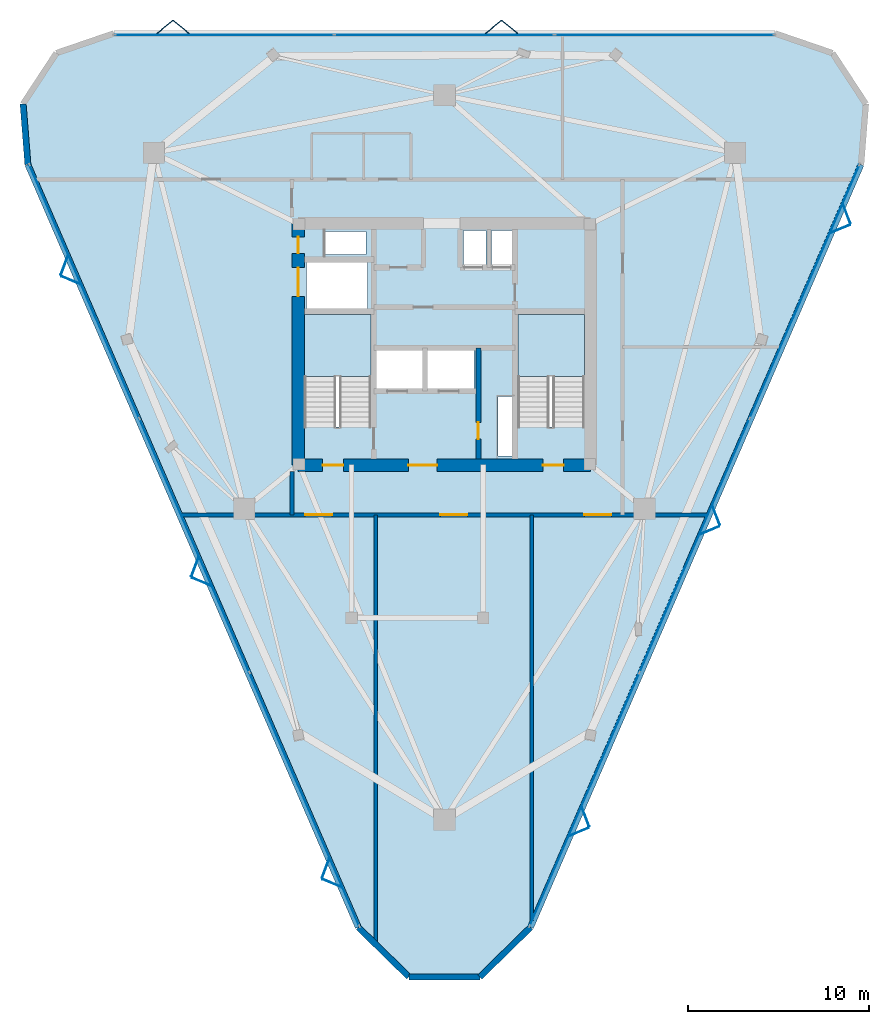
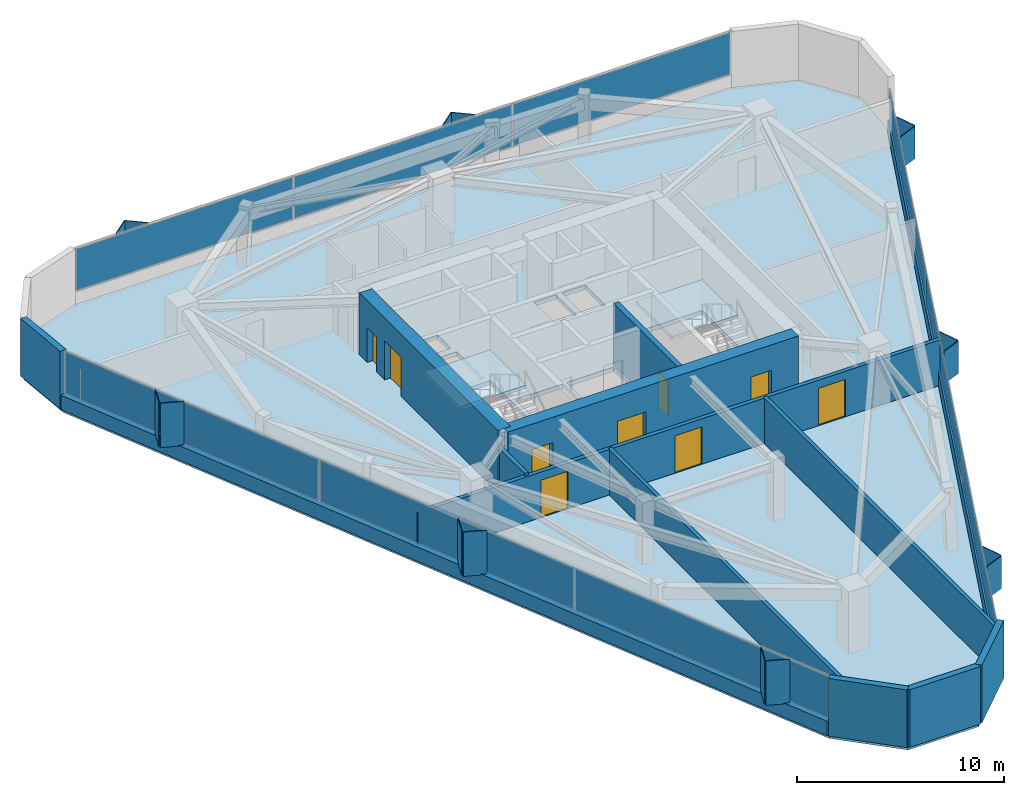
# One storey, part 8 of 11: 25 plates, 13 walls, 9 doors, 3 slabs, 9 openings, 5 elements without a shape of their own.
"""IFC4 building model written with IfcOpenShell, lengths in metres."""

import ifcopenshell
import ifcopenshell.guid

model = None  # the IFC model being written
_history = None  # IfcOwnerHistory: only IFC2X3 demands one
_inside = {}  # id of a spatial element -> (the spatial element, [elements in it])
_under = {}  # id of a project, library or spatial element -> (it, [spatial elements below it])
_declared = {}  # id of a project -> (the project, [libraries it declares])
_typed = {}  # id of a type object -> (the type object, [elements of that type])
_made_of = {}  # id of a material, layer set ... -> (it, [elements and type objects made of it])


def new_model(schema):
    """Start an empty IFC model of exactly this schema.

    Asked for "IFC4X3", IfcOpenShell would pick the latest addendum, in which some entities
    have other attributes; the version numbers below select the first issue.
    IFC2X3 requires an IfcOwnerHistory on every rooted entity: one is made here for all.
    """
    global model, _history
    if schema == "IFC4X3":
        model = ifcopenshell.file(schema_version=(4, 3, 0, 0))
    else:
        model = ifcopenshell.file(schema=schema)
    _inside.clear()
    _under.clear()
    _declared.clear()
    _typed.clear()
    _made_of.clear()
    _history = None
    if model.schema == "IFC2X3":
        org = make("IfcOrganization", Name="unknown")
        user = make(
            "IfcPersonAndOrganization",
            ThePerson=make("IfcPerson", FamilyName="unknown"),
            TheOrganization=org,
        )
        app = make(
            "IfcApplication",
            ApplicationDeveloper=org,
            Version="unknown",
            ApplicationFullName="unknown",
            ApplicationIdentifier="unknown",
        )
        _history = make(
            "IfcOwnerHistory",
            OwningUser=user,
            OwningApplication=app,
            ChangeAction="ADDED",
            CreationDate=0,
        )
    return model


def make(cls, **values):
    """One entity of the class cls with the attributes given. An attribute that is None is left unset."""
    return model.create_entity(
        cls, **{name: value for name, value in values.items() if value is not None}
    )


def rooted(cls, **values):
    """An entity with a GlobalId (a new one), such as an element, a storey or a relation."""
    return make(cls, GlobalId=ifcopenshell.guid.new(), OwnerHistory=_history, **values)


def si_unit(unit_type, name, prefix=None):
    """IfcSIUnit, for example si_unit("LENGTHUNIT", "METRE", prefix="MILLI")."""
    return make("IfcSIUnit", UnitType=unit_type, Prefix=prefix, Name=name)


def assignment(units):
    """IfcUnitAssignment: the units of a project."""
    return None if units is None else make("IfcUnitAssignment", Units=units)


def point(xyz):
    """IfcCartesianPoint."""
    return None if xyz is None else make("IfcCartesianPoint", Coordinates=xyz)


def direction(xyz):
    """IfcDirection."""
    return None if xyz is None else make("IfcDirection", DirectionRatios=xyz)


def frame(location, z_axis=None, x_axis=None):
    """IfcAxis2Placement3D, a coordinate frame: its origin and axes. An axis left out is left unset."""
    return make(
        "IfcAxis2Placement3D",
        Location=point(location),
        Axis=direction(z_axis),
        RefDirection=direction(x_axis),
    )


def frame_2d(location, x_axis=None):
    """IfcAxis2Placement2D, a coordinate frame in the plane: its origin and x axis."""
    return make(
        "IfcAxis2Placement2D", Location=point(location), RefDirection=direction(x_axis)
    )


def origin():
    """The frame at (0, 0, 0) with its axes left unset."""
    return frame((0.0, 0.0, 0.0))


def origin_2d():
    """The frame at (0, 0) in the plane with its x axis left unset."""
    return frame_2d((0.0, 0.0))


def place(relative_to, where):
    """IfcLocalPlacement: puts the frame where relative to a parent placement (None: the world)."""
    return make(
        "IfcLocalPlacement", PlacementRelTo=relative_to, RelativePlacement=where
    )


def context(
    kind, dimensions, precision=None, world=None, true_north=None, identifier=None
):
    """IfcGeometricRepresentationContext, for example the 3D "Model" context."""
    return make(
        "IfcGeometricRepresentationContext",
        ContextIdentifier=identifier,
        ContextType=kind,
        CoordinateSpaceDimension=dimensions,
        Precision=precision,
        WorldCoordinateSystem=world,
        TrueNorth=true_north,
    )


def subcontext(parent, identifier, kind, view, scale=None):
    """IfcGeometricRepresentationSubContext, for example "Body" below "Model"."""
    return make(
        "IfcGeometricRepresentationSubContext",
        ContextIdentifier=identifier,
        ContextType=kind,
        ParentContext=parent,
        TargetScale=scale,
        TargetView=view,
    )


def project(units=None, contexts=None):
    """IfcProject with its units and contexts."""
    return rooted(
        "IfcProject",
        Name="project",
        RepresentationContexts=contexts,
        UnitsInContext=assignment(units),
    )


def spatial(cls, under=None, at=None, **own):
    """A site, building, storey or space (cls), placed at a placement, below another one or the project."""
    s = rooted(cls, ObjectPlacement=at, **own)
    if under is not None:
        _under.setdefault(under.id(), (under, []))[1].append(s)
    return s


def polyline(points):
    """IfcPolyline through the points."""
    return make("IfcPolyline", Points=[point(p) for p in points])


def profile(cls, at=None, kind="AREA", **sizes):
    """A parametric profile (cls). Its sizes go by their IFC names, for example OverallWidth=200.0."""
    return make(cls, ProfileType=kind, Position=at, **sizes)


def rectangle(**sizes):
    """IfcRectangleProfileDef."""
    return profile("IfcRectangleProfileDef", **sizes)


def outline(outer, holes=None, kind="AREA"):
    """IfcArbitraryClosedProfileDef: a profile drawn as a closed curve; with holes, ...WithVoids."""
    if holes is None:
        return make("IfcArbitraryClosedProfileDef", ProfileType=kind, OuterCurve=outer)
    return make(
        "IfcArbitraryProfileDefWithVoids",
        ProfileType=kind,
        OuterCurve=outer,
        InnerCurves=holes,
    )


def extrude(swept, where, along, depth):
    """IfcExtrudedAreaSolid: the profile swept, set in the frame where, extruded along a direction by depth."""
    return make(
        "IfcExtrudedAreaSolid",
        SweptArea=swept,
        Position=where,
        ExtrudedDirection=direction(along),
        Depth=depth,
    )


def shape(context_of_items, identifier, shape_type, items):
    """IfcShapeRepresentation: the items that make up one representation, for example the "Body"."""
    return make(
        "IfcShapeRepresentation",
        ContextOfItems=context_of_items,
        RepresentationIdentifier=identifier,
        RepresentationType=shape_type,
        Items=items,
    )


def material(Name=None, Category=None):
    """IfcMaterial."""
    return make("IfcMaterial", Name=Name, Category=Category)


def layer(
    of_material, thickness, ventilated=None, Name=None, Category=None, Priority=None
):
    """IfcMaterialLayer: one layer of a wall or slab, of a material (None: an air gap)."""
    return make(
        "IfcMaterialLayer",
        Material=of_material,
        LayerThickness=thickness,
        IsVentilated=ventilated,
        Name=Name,
        Category=Category,
        Priority=Priority,
    )


def layer_set(layers, Name=None):
    """IfcMaterialLayerSet."""
    return make("IfcMaterialLayerSet", MaterialLayers=layers, LayerSetName=Name)


def made_of(thing, what):
    """Note that an element or type object is made of a material, layer set ...; save() writes the relation."""
    if what is not None:
        _made_of.setdefault(what.id(), (what, []))[1].append(thing)
    return thing


def type_object(cls, material=None, **own):
    """A type object (cls), such as IfcWallType, which elements share."""
    return made_of(rooted(cls, **own), material)


def element(
    cls,
    number,
    at=None,
    inside=None,
    cuts=None,
    type_object=None,
    material=None,
    context=None,
    identifier="Body",
    shape_type=None,
    held_by="IfcProductDefinitionShape",
    body=None,
    shapes=None,
    **own,
):
    """One element of the class cls, such as IfcWall. Its Tag is "e" and its number.

    at: its placement. inside: the storey or other place that contains it. cuts: it is an
    opening in that element (IfcRelVoidsElement). A single representation is given by context,
    identifier, shape_type and body (its items); several are given by shapes. held_by: the class
    of the entity that holds the representations. save() writes the other relations.
    """
    e = rooted(cls, Tag="e%d" % number, ObjectPlacement=at, **own)
    if body is not None:
        shapes = [shape(context, identifier, shape_type, body)]
    if shapes is not None:
        e.Representation = make(held_by, Representations=shapes)
    if inside is not None:
        _inside.setdefault(inside.id(), (inside, []))[1].append(e)
    if cuts is not None:
        rooted(
            "IfcRelVoidsElement", RelatingBuildingElement=cuts, RelatedOpeningElement=e
        )
    if type_object is not None:
        _typed.setdefault(type_object.id(), (type_object, []))[1].append(e)
    return made_of(e, material)


def fill(opening, filler):
    """IfcRelFillsElement: the door or window that sits in an opening."""
    return rooted(
        "IfcRelFillsElement",
        RelatingOpeningElement=opening,
        RelatedBuildingElement=filler,
    )


def aggregate(whole, parts):
    """IfcRelAggregates: a whole, such as a stair, and the parts it consists of."""
    return rooted("IfcRelAggregates", RelatingObject=whole, RelatedObjects=parts)


def save(model, path):
    """Write the relations noted so far, then the file.

    IfcRelAggregates (storeys below a building ...), IfcRelContainedInSpatialStructure (elements
    in a storey), IfcRelDefinesByType, IfcRelAssociatesMaterial and IfcRelDeclares: one each for
    every whole, place, type object, material and project.
    """
    for whole, parts in _under.values():
        aggregate(whole, parts)
    for where, things in _inside.values():
        rooted(
            "IfcRelContainedInSpatialStructure",
            RelatedElements=things,
            RelatingStructure=where,
        )
    for kind, things in _typed.values():
        rooted("IfcRelDefinesByType", RelatedObjects=things, RelatingType=kind)
    for what, things in _made_of.values():
        rooted("IfcRelAssociatesMaterial", RelatedObjects=things, RelatingMaterial=what)
    for by, libraries in _declared.values():
        rooted("IfcRelDeclares", RelatingContext=by, RelatedDefinitions=libraries)
    model.write(path)


model = new_model("IFC4")

# Units and contexts
model_context = context("Model", 3, precision=1e-05, world=origin(), true_north=direction((0.0, 1.0)))
body_context = subcontext(model_context, "Body", "Model", "MODEL_VIEW")
ifc_project = project(units=[si_unit("LENGTHUNIT", "METRE"), si_unit("AREAUNIT", "SQUARE_METRE"), si_unit("VOLUMEUNIT", "CUBIC_METRE"), si_unit("PLANEANGLEUNIT", "RADIAN"), si_unit("MASSUNIT", "GRAM", prefix="KILO")], contexts=[model_context])

# Site, building, storey
site_placement = place(None, origin())
site = spatial("IfcSite", under=ifc_project, at=site_placement, CompositionType="ELEMENT")
building_placement = place(site_placement, origin())
building = spatial("IfcBuilding", under=site, at=building_placement, Name="Talyreon Biosciences Tower", CompositionType="ELEMENT")
storey_placement = place(building_placement, frame((0.0, 0.0, 249.85009765625)))
storey = spatial("IfcBuildingStorey", under=building, at=storey_placement, Name="L66", CompositionType="ELEMENT", Elevation=249.85009765625)

# Curtain wall, plates
ifc_material_1 = material(Name="Thermally broken aluminium and low-E glazing", Category="aluminium")
ifc_layer_1 = layer(ifc_material_1, 0.175048828125)
ifc_layer_set_1 = layer_set([ifc_layer_1], Name="Thermally broken aluminium and low-E glazing")
curtain_wall_type = type_object("IfcCurtainWallType", Name="CurtainWall_Zone5CompLab", PredefinedType="NOTDEFINED", material=ifc_layer_set_1)
curtain_wall_1_placement = place(storey_placement, origin())
curtain_wall_1 = element("IfcCurtainWall", 1, at=curtain_wall_1_placement, inside=storey, type_object=curtain_wall_type, Name="L66 Unitised Curtain Wall FCW-L66-00", PredefinedType="NOTDEFINED")
ifc_material_2 = material(Name="Triple-silver low-E insulated glazing", Category="glass")
ifc_layer_2 = layer(ifc_material_2, 0.031982421875)
ifc_layer_set_2 = layer_set([ifc_layer_2], Name="Triple-silver low-E insulated glazing")
plate_type_1 = type_object("IfcPlateType", Name="CWGlazingPanel_32", PredefinedType="CURTAIN_PANEL", material=ifc_layer_set_2)
plate_1_placement = place(storey_placement, frame((58.244873046875, 42.7900390625, 0.875), z_axis=(0.0, 0.0, 1.0), x_axis=(-0.397537465198, 0.91758594353, 0.0)))
plate_1 = element("IfcPlate", 2, at=plate_1_placement, type_object=plate_type_1, Name="CW6 panel 1.1", PredefinedType="CURTAIN_PANEL", context=body_context, shape_type="SweptSolid", body=[
    extrude(rectangle(XDim=15.250244140625, YDim=0.031982421875, at=origin_2d()), origin(), (0.0, 0.0, 1.0), 2.4599609375),
])
plate_2_placement = place(storey_placement, frame((52.150146484375, 56.858154296875, 0.875), z_axis=(0.0, 0.0, 1.0), x_axis=(-0.397537465198, 0.91758594353, 0.0)))
plate_2 = element("IfcPlate", 3, at=plate_2_placement, type_object=plate_type_1, Name="CW6 panel 2.1", PredefinedType="CURTAIN_PANEL", context=body_context, shape_type="SweptSolid", body=[
    extrude(rectangle(XDim=15.28271484375, YDim=0.031982421875, at=origin_2d()), origin(), (0.0, 0.0, 1.0), 2.4599609375),
])
plate_3_placement = place(storey_placement, frame((46.05517578125, 70.926025390625, 0.875), z_axis=(0.0, 0.0, 1.0), x_axis=(-0.397537465198, 0.91758594353, 0.0)))
plate_3 = element("IfcPlate", 4, at=plate_3_placement, type_object=plate_type_1, Name="CW6 panel 3.1", PredefinedType="CURTAIN_PANEL", context=body_context, shape_type="SweptSolid", body=[
    extrude(rectangle(XDim=15.250244140625, YDim=0.031982421875, at=origin_2d()), origin(), (0.0, 0.0, 1.0), 2.4599609375),
])
aggregate(curtain_wall_1, [plate_1, plate_2, plate_3])

curtain_wall_2_placement = place(storey_placement, origin())
curtain_wall_2 = element("IfcCurtainWall", 5, at=curtain_wall_2_placement, inside=storey, type_object=curtain_wall_type, Name="L66 Unitised Curtain Wall FCW-L66-04", PredefinedType="NOTDEFINED")
plate_4_placement = place(storey_placement, frame((53.813720703125, 85.1376953125, 0.875), z_axis=(0.0, 0.0, 1.0), x_axis=(1.0, 0.0, 0.0)))
plate_4 = element("IfcPlate", 6, at=plate_4_placement, type_object=plate_type_1, Name="CW6 panel 1.1", PredefinedType="CURTAIN_PANEL", context=body_context, shape_type="SweptSolid", body=[
    extrude(rectangle(XDim=12.10498046875, YDim=0.031982421875, at=origin_2d()), origin(), (0.0, 0.0, 1.0), 2.4599609375),
])
plate_5_placement = place(storey_placement, frame((66.0, 85.1376953125, 0.875), z_axis=(0.0, 0.0, 1.0), x_axis=(1.0, 0.0, 0.0)))
plate_5 = element("IfcPlate", 7, at=plate_5_placement, type_object=plate_type_1, Name="CW6 panel 2.1", PredefinedType="CURTAIN_PANEL", context=body_context, shape_type="SweptSolid", body=[
    extrude(rectangle(XDim=12.137451171875, YDim=0.031982421875, at=origin_2d()), origin(), (0.0, 0.0, 1.0), 2.4599609375),
])
plate_6_placement = place(storey_placement, frame((78.186279296875, 85.1376953125, 0.875), z_axis=(0.0, 0.0, 1.0), x_axis=(1.0, 0.0, 0.0)))
plate_6 = element("IfcPlate", 8, at=plate_6_placement, type_object=plate_type_1, Name="CW6 panel 3.1", PredefinedType="CURTAIN_PANEL", context=body_context, shape_type="SweptSolid", body=[
    extrude(rectangle(XDim=12.10498046875, YDim=0.031982421875, at=origin_2d()), origin(), (0.0, 0.0, 1.0), 2.4599609375),
])
aggregate(curtain_wall_2, [plate_4, plate_5, plate_6])

curtain_wall_3_placement = place(storey_placement, origin())
curtain_wall_3 = element("IfcCurtainWall", 9, at=curtain_wall_3_placement, inside=storey, type_object=curtain_wall_type, Name="L66 Unitised Curtain Wall FCW-L66-08", PredefinedType="NOTDEFINED")
plate_7_placement = place(storey_placement, frame((85.94482421875, 70.926025390625, 0.875), z_axis=(0.0, 0.0, 1.0), x_axis=(-0.397537465198, -0.91758594353, 0.0)))
plate_7 = element("IfcPlate", 10, at=plate_7_placement, type_object=plate_type_1, Name="CW6 panel 1.1", PredefinedType="CURTAIN_PANEL", context=body_context, shape_type="SweptSolid", body=[
    extrude(rectangle(XDim=15.250244140625, YDim=0.031982421875, at=origin_2d()), origin(), (0.0, 0.0, 1.0), 1.760009765625),
])
plate_8_placement = place(storey_placement, frame((79.849853515625, 56.858154296875, 0.875), z_axis=(0.0, 0.0, 1.0), x_axis=(-0.397537465198, -0.91758594353, 0.0)))
plate_8 = element("IfcPlate", 11, at=plate_8_placement, type_object=plate_type_1, Name="CW6 panel 2.1", PredefinedType="CURTAIN_PANEL", context=body_context, shape_type="SweptSolid", body=[
    extrude(rectangle(XDim=15.28271484375, YDim=0.031982421875, at=origin_2d()), origin(), (0.0, 0.0, 1.0), 1.760009765625),
])
plate_9_placement = place(storey_placement, frame((73.755126953125, 42.7900390625, 0.875), z_axis=(0.0, 0.0, 1.0), x_axis=(-0.397537465198, -0.91758594353, 0.0)))
plate_9 = element("IfcPlate", 12, at=plate_9_placement, type_object=plate_type_1, Name="CW6 panel 3.1", PredefinedType="CURTAIN_PANEL", context=body_context, shape_type="SweptSolid", body=[
    extrude(rectangle(XDim=15.250244140625, YDim=0.031982421875, at=origin_2d()), origin(), (0.0, 0.0, 1.0), 1.760009765625),
])
aggregate(curtain_wall_3, [plate_7, plate_8, plate_9])

# Slab
ifc_material_3 = material(Name="Concrete C40/50", Category="concrete")
ifc_layer_3 = layer(ifc_material_3, 0.25)
ifc_layer_set_3 = layer_set([ifc_layer_3], Name="Concrete C40/50")
slab_type_1 = type_object("IfcSlabType", Name="DryLabFloorSlab_250", PredefinedType="FLOOR", material=ifc_layer_set_3)
slab_1_placement = place(storey_placement, frame((0.0, 0.0, -0.25)))
element("IfcSlab", 13, at=slab_1_placement, inside=storey, type_object=slab_type_1, Name="L66 Structural Floor Slab", PredefinedType="FLOOR", context=body_context, shape_type="SweptSolid", body=[
    extrude(outline(polyline([(61.228515625, 35.701904296875), (42.9248046875, 77.95068359375), (42.6591796875, 81.3095703125), (44.508544921875, 84.126220703125), (47.6962890625, 85.2177734375), (84.3037109375, 85.2177734375), (87.491455078125, 84.126220703125), (89.3408203125, 81.3095703125), (89.0751953125, 77.95068359375), (70.771484375, 35.701904296875), (67.964111328125, 32.954345703125), (64.035888671875, 32.954345703125), (61.228515625, 35.701904296875)]), holes=[polyline([(69.820068359375, 65.10009765625), (69.820068359375, 61.800048828125), (68.9599609375, 61.800048828125), (68.9599609375, 65.10009765625), (69.820068359375, 65.10009765625)]), polyline([(61.929931640625, 69.64990234375), (61.929931640625, 63.407958984375), (58.25, 63.407958984375), (58.25, 69.64990234375), (61.929931640625, 69.64990234375)]), polyline([(73.75, 69.64990234375), (73.75, 63.407958984375), (70.070068359375, 63.407958984375), (70.070068359375, 69.64990234375), (73.75, 69.64990234375)]), polyline([(64.800048828125, 67.64990234375), (64.800048828125, 65.550048828125), (62.199951171875, 65.550048828125), (62.199951171875, 67.64990234375), (64.800048828125, 67.64990234375)]), polyline([(67.64990234375, 67.64990234375), (67.64990234375, 65.550048828125), (65.050048828125, 65.550048828125), (65.050048828125, 67.64990234375), (67.64990234375, 67.64990234375)]), polyline([(61.75, 72.550048828125), (61.75, 69.97998046875), (58.35009765625, 69.97998046875), (58.35009765625, 72.550048828125), (61.75, 72.550048828125)]), polyline([(68.300048828125, 74.300048828125), (68.300048828125, 72.35009765625), (67.050048828125, 72.35009765625), (67.050048828125, 74.300048828125), (68.300048828125, 74.300048828125)]), polyline([(69.919921875, 72.35009765625), (68.6201171875, 72.35009765625), (68.6201171875, 74.300048828125), (69.919921875, 74.300048828125), (69.919921875, 72.35009765625)]), polyline([(61.64990234375, 72.9599609375), (59.39990234375, 72.9599609375), (59.39990234375, 74.25), (61.64990234375, 74.25), (61.64990234375, 72.9599609375)])]), origin(), (0.0, 0.0, 1.0), 0.25),
])

# Plates
ifc_material_4 = material(Name="Ivory GFRC sunshade panel", Category="concrete")
ifc_layer_4 = layer(ifc_material_4, 0.044921875)
ifc_layer_set_4 = layer_set([ifc_layer_4], Name="Ivory GFRC sunshade panel")
plate_type_2 = type_object("IfcPlateType", Name="FoldedVSunshade_NorthFace_SUNSHADE", PredefinedType="USERDEFINED", material=ifc_layer_set_4)
for number, where, z_axis, x_axis, name in (
    (14, (50.51611328125, 85.577880859375, 0.7900390625), (0.0, 0.0, 1.0), (0.771624583388, 0.636078220278, 0.0), "L66 Folded V-Sunshade Panel 04.01L"),
    (15, (51.416259765625, 85.577880859375, 0.7900390625), (0.0, 0.0, 1.0), (0.771624583388, -0.636078220278, 0.0), "L66 Folded V-Sunshade Panel 04.01R"),
    (16, (68.71630859375, 85.577880859375, 0.7900390625), (0.0, 0.0, 1.0), (0.771624583388, 0.636078220278, 0.0), "L66 Folded V-Sunshade Panel 04.02L"),
    (17, (69.6162109375, 85.577880859375, 0.7900390625), (0.0, 0.0, 1.0), (0.771624583388, -0.636078220278, 0.0), "L66 Folded V-Sunshade Panel 04.02R"),
):
    element("IfcPlate", number, at=place(storey_placement, frame(where, z_axis=z_axis, x_axis=x_axis)), inside=storey, type_object=plate_type_2, Name=name, ObjectType="SUNSHADE", PredefinedType="USERDEFINED", context=body_context, shape_type="SweptSolid", body=[
        extrude(rectangle(XDim=1.14990234375, YDim=0.044921875, at=origin_2d()), origin(), (0.0, 0.0, 1.0), 2.610107421875),
    ])
ifc_layer_5 = layer(ifc_material_4, 0.044921875)
ifc_layer_set_5 = layer_set([ifc_layer_5], Name="Ivory GFRC sunshade panel")
plate_type_3 = type_object("IfcPlateType", Name="FoldedVSunshade_SunFace_SUNSHADE", PredefinedType="USERDEFINED", material=ifc_layer_set_5)
for number, where, z_axis, x_axis, name in (
    (18, (59.777099609375, 38.146484375, 0.7900390625), (0.0, 0.0, 1.0), (-0.923371109364, 0.383908575566, 0.0), "L66 Folded V-Sunshade Panel 00.01L"),
    (19, (59.41943359375, 38.972412109375, 0.7900390625), (0.0, 0.0, 1.0), (0.351449521848, 0.936206832699, 0.0), "L66 Folded V-Sunshade Panel 00.01R"),
    (20, (52.5419921875, 54.846435546875, 0.7900390625), (0.0, 0.0, 1.0), (-0.923371109364, 0.383908575566, 0.0), "L66 Folded V-Sunshade Panel 00.02L"),
    (21, (52.18408203125, 55.67236328125, 0.7900390625), (0.0, 0.0, 1.0), (0.351449521848, 0.936206832699, 0.0), "L66 Folded V-Sunshade Panel 00.02R"),
    (22, (45.306884765625, 71.546630859375, 0.7900390625), (0.0, 0.0, 1.0), (-0.923371109364, 0.383908575566, 0.0), "L66 Folded V-Sunshade Panel 00.03L"),
    (23, (44.94921875, 72.372314453125, 0.7900390625), (0.0, 0.0, 1.0), (0.351449521848, 0.936206832699, 0.0), "L66 Folded V-Sunshade Panel 00.03R"),
):
    element("IfcPlate", number, at=place(storey_placement, frame(where, z_axis=z_axis, x_axis=x_axis)), inside=storey, type_object=plate_type_3, Name=name, ObjectType="SUNSHADE", PredefinedType="USERDEFINED", context=body_context, shape_type="SweptSolid", body=[
        extrude(rectangle(XDim=1.14990234375, YDim=0.044921875, at=origin_2d()), origin(), (0.0, 0.0, 1.0), 2.610107421875),
    ])
for number, where, z_axis, x_axis, name in (
    (24, (88.28466796875, 75.219970703125, 0.7900390625), (0.0, 0.0, 1.0), (0.351449521848, -0.936206832699, 0.0), "L66 Folded V-Sunshade Panel 08.01L"),
    (25, (87.9267578125, 74.39404296875, 0.7900390625), (0.0, 0.0, 1.0), (-0.923371109364, -0.383908575566, 0.0), "L66 Folded V-Sunshade Panel 08.01R"),
    (26, (81.04931640625, 58.519775390625, 0.7900390625), (0.0, 0.0, 1.0), (0.351449521848, -0.936206832699, 0.0), "L66 Folded V-Sunshade Panel 08.02L"),
    (27, (80.691650390625, 57.694091796875, 0.7900390625), (0.0, 0.0, 1.0), (-0.923371109364, -0.383908575566, 0.0), "L66 Folded V-Sunshade Panel 08.02R"),
    (28, (73.814208984375, 41.81982421875, 0.7900390625), (0.0, 0.0, 1.0), (0.351449521848, -0.936206832699, 0.0), "L66 Folded V-Sunshade Panel 08.03L"),
    (29, (73.456298828125, 40.993896484375, 0.7900390625), (0.0, 0.0, 1.0), (-0.923371109364, -0.383908575566, 0.0), "L66 Folded V-Sunshade Panel 08.03R"),
):
    element("IfcPlate", number, at=place(storey_placement, frame(where, z_axis=z_axis, x_axis=x_axis)), inside=storey, type_object=plate_type_3, Name=name, ObjectType="SUNSHADE", PredefinedType="USERDEFINED", context=body_context, shape_type="SweptSolid", body=[
        extrude(rectangle(XDim=1.14990234375, YDim=0.044921875, at=origin_2d()), origin(), (0.0, 0.0, 1.0), 1.909912109375),
    ])

# Stair, slab
stair_type = type_object("IfcStairType", Name="DoglegEscapeStair_3650", PredefinedType="HALF_TURN_STAIR", material=ifc_material_3)
stair_1_placement = place(storey_placement, origin())
stair_1 = element("IfcStair", 30, at=stair_1_placement, inside=storey, type_object=stair_type, Name="L66 Core Escape Stair 1", PredefinedType="HALF_TURN_STAIR")
ifc_layer_6 = layer(ifc_material_3, 0.199951171875)
ifc_layer_set_6 = layer_set([ifc_layer_6], Name="Concrete C40/50")
slab_type_2 = type_object("IfcSlabType", Name="StairLandingSlab_200", PredefinedType="LANDING", material=ifc_layer_set_6)
slab_2_placement = place(storey_placement, frame((0.0, 0.0, 1.625)))
slab_2 = element("IfcSlab", 31, at=slab_2_placement, type_object=slab_type_2, Name="ST-1 landing 1", PredefinedType="LANDING", context=body_context, shape_type="SweptSolid", body=[
    extrude(outline(polyline([(61.929931640625, 66.199951171875), (61.929931640625, 69.64990234375), (58.25, 69.64990234375), (58.25, 66.199951171875), (61.929931640625, 66.199951171875)])), origin(), (0.0, 0.0, 1.0), 0.199951171875),
])
aggregate(stair_1, [slab_2])

stair_2_placement = place(storey_placement, origin())
stair_2 = element("IfcStair", 32, at=stair_2_placement, inside=storey, type_object=stair_type, Name="L66 Core Escape Stair 2", PredefinedType="HALF_TURN_STAIR")
slab_3_placement = place(storey_placement, frame((0.0, 0.0, 1.625)))
slab_3 = element("IfcSlab", 33, at=slab_3_placement, type_object=slab_type_2, Name="ST-2 landing 1", PredefinedType="LANDING", context=body_context, shape_type="SweptSolid", body=[
    extrude(outline(polyline([(73.75, 66.199951171875), (73.75, 69.64990234375), (70.070068359375, 69.64990234375), (70.070068359375, 66.199951171875), (73.75, 66.199951171875)])), origin(), (0.0, 0.0, 1.0), 0.199951171875),
])
aggregate(stair_2, [slab_3])

# Walls
ifc_material_5 = material(Name="Gypsum fireboard acoustic stud", Category="gypsum")
ifc_layer_7 = layer(ifc_material_5, 0.199951171875)
ifc_layer_set_7 = layer_set([ifc_layer_7], Name="Gypsum fireboard acoustic stud")
wall_type_1 = type_object("IfcWallType", Name="ChemControlPartition_200", PredefinedType="PARTITIONING", material=ifc_layer_set_7)
wall_1_placement = place(storey_placement, frame((62.199951171875, 34.8701171875, 0.0), z_axis=(0.0, 0.0, 1.0), x_axis=(0.0, 1.0, 0.0)))
element("IfcWall", 34, at=wall_1_placement, inside=storey, type_object=wall_type_1, Name="L66 Interior Wall IW-L66-SDIV1", PredefinedType="PARTITIONING", context=body_context, shape_type="SweptSolid", body=[
    extrude(rectangle(XDim=23.679931640625, YDim=0.199951171875, at=frame_2d((11.83984375, 0.0))), origin(), (0.0, 0.0, 1.0), 2.679931640625),
])
wall_2_placement = place(storey_placement, frame((70.839111328125, 36.07177734375, 0.0), z_axis=(0.0, 0.0, 1.0), x_axis=(0.0, 1.0, 0.0)))
element("IfcWall", 35, at=wall_2_placement, inside=storey, type_object=wall_type_1, Name="L66 Interior Wall IW-L66-SDIV2", PredefinedType="PARTITIONING", context=body_context, shape_type="SweptSolid", body=[
    extrude(rectangle(XDim=22.478271484375, YDim=0.199951171875, at=frame_2d((11.2392578125, 0.0))), origin(), (0.0, 0.0, 1.0), 2.679931640625),
])

# Wall, opening, door
ifc_material_6 = material(Name="Concrete C50/60", Category="concrete")
ifc_layer_8 = layer(ifc_material_6, 0.280029296875)
ifc_layer_set_8 = layer_set([ifc_layer_8], Name="Concrete C50/60")
wall_type_2 = type_object("IfcWallType", Name="CoreShearWall_280", PredefinedType="SHEAR", material=ifc_layer_set_8)
wall_3_placement = place(storey_placement, frame((67.8798828125, 61.64990234375, 0.0), z_axis=(0.0, 0.0, 1.0), x_axis=(0.0, 1.0, 0.0)))
wall_3 = element("IfcWall", 36, at=wall_3_placement, inside=storey, type_object=wall_type_2, Name="L66 Core Shaft Wall SWFFE", PredefinedType="SHEAR", context=body_context, shape_type="SweptSolid", body=[
    extrude(rectangle(XDim=6.150146484375, YDim=0.280029296875, at=frame_2d((3.0751953125, 0.0))), origin(), (0.0, 0.0, 1.0), 3.64990234375),
])
opening_1_placement = place(wall_3_placement, frame((1.10009765625, 0.0, 0.0)))
opening_1 = element("IfcOpeningElement", 37, at=opening_1_placement, cuts=wall_3, Name="Opening DR-L66-RSE", PredefinedType="OPENING", context=body_context, shape_type="SweptSolid", body=[
    extrude(rectangle(XDim=0.919921875, YDim=2.050048828125, at=frame_2d((0.4599609375, 1.02490234375))), frame((0.0, 0.14990234375, 0.0), z_axis=(0.0, -1.0, 0.0), x_axis=(1.0, 0.0, 0.0)), (0.0, 0.0, 1.0), 0.300048828125),
])
ifc_material_7 = material(Name="Painted steel fire-rated riser door", Category="steel")
door_type_1 = type_object("IfcDoorType", Name="RiserPlantAccessDoor_920x2050", OperationType="NOTDEFINED", PredefinedType="DOOR", material=ifc_material_7)
door_1_placement = place(opening_1_placement, origin())
door_1 = element("IfcDoor", 38, at=door_1_placement, inside=storey, type_object=door_type_1, Name="L66 Core Door DR-L66-RSE", OperationType="SINGLE_SWING_RIGHT", OverallHeight=2.050048828125, OverallWidth=0.919921875, PredefinedType="DOOR", context=body_context, shape_type="SweptSolid", body=[
    extrude(rectangle(XDim=0.919921875, YDim=2.050048828125, at=frame_2d((0.4599609375, 1.02490234375))), frame((0.0, 0.02490234375, 0.0), z_axis=(0.0, -1.0, 0.0), x_axis=(1.0, 0.0, 0.0)), (0.0, 0.0, 1.0), 0.050048828125),
])
fill(opening_1, door_1)

# Wall, openings, doors
ifc_layer_9 = layer(ifc_material_6, 0.699951171875)
ifc_layer_set_9 = layer_set([ifc_layer_9], Name="Concrete C50/60")
wall_type_3 = type_object("IfcWallType", Name="CoreShearWall_700", PredefinedType="SHEAR", material=ifc_layer_set_9)
wall_4_placement = place(storey_placement, frame((57.89990234375, 61.300048828125, 0.0), z_axis=(0.0, 0.0, 1.0), x_axis=(1.0, 0.0, 0.0)))
wall_4 = element("IfcWall", 39, at=wall_4_placement, inside=storey, type_object=wall_type_3, Name="L66 Core Shear Wall S", PredefinedType="SHEAR", context=body_context, shape_type="SweptSolid", body=[
    extrude(rectangle(XDim=16.2001953125, YDim=0.699951171875, at=frame_2d((8.10009765625, 0.0))), origin(), (0.0, 0.0, 1.0), 3.64990234375),
])
opening_2_placement = place(wall_4_placement, frame((1.35009765625, 0.0, 0.0)))
opening_2 = element("IfcOpeningElement", 40, at=opening_2_placement, cuts=wall_4, Name="Opening DR-L66-ST1", PredefinedType="OPENING", context=body_context, shape_type="SweptSolid", body=[
    extrude(rectangle(XDim=1.14990234375, YDim=2.14990234375, at=frame_2d((0.574951171875, 1.074951171875))), frame((0.0, 0.35986328125, 0.0), z_axis=(0.0, -1.0, 0.0), x_axis=(1.0, 0.0, 0.0)), (0.0, 0.0, 1.0), 0.719970703125),
])
opening_3_placement = place(wall_4_placement, frame((6.10009765625, 0.0, 0.0)))
opening_3 = element("IfcOpeningElement", 41, at=opening_3_placement, cuts=wall_4, Name="Opening DR-L66-FFL", PredefinedType="OPENING", context=body_context, shape_type="SweptSolid", body=[
    extrude(rectangle(XDim=1.60009765625, YDim=2.14990234375, at=frame_2d((0.800048828125, 1.074951171875))), frame((0.0, 0.35986328125, 0.0), z_axis=(0.0, -1.0, 0.0), x_axis=(1.0, 0.0, 0.0)), (0.0, 0.0, 1.0), 0.719970703125),
])
opening_4_placement = place(wall_4_placement, frame((13.550048828125, 0.0, 0.0)))
opening_4 = element("IfcOpeningElement", 42, at=opening_4_placement, cuts=wall_4, Name="Opening DR-L66-ST2", PredefinedType="OPENING", context=body_context, shape_type="SweptSolid", body=[
    extrude(rectangle(XDim=1.14990234375, YDim=2.14990234375, at=frame_2d((0.574951171875, 1.074951171875))), frame((0.0, 0.35986328125, 0.0), z_axis=(0.0, -1.0, 0.0), x_axis=(1.0, 0.0, 0.0)), (0.0, 0.0, 1.0), 0.719970703125),
])
ifc_material_8 = material(Name="Painted steel smoke-seal fire door", Category="steel")
door_type_2 = type_object("IfcDoorType", Name="FirefightingLobbyDoubleDoor_1600x2150", OperationType="DOUBLE_DOOR_SINGLE_SWING", PredefinedType="DOOR", material=ifc_material_8)
door_2_placement = place(opening_3_placement, origin())
door_2 = element("IfcDoor", 43, at=door_2_placement, inside=storey, type_object=door_type_2, Name="L66 Core Door DR-L66-FFL", OperationType="DOUBLE_DOOR_SINGLE_SWING", OverallHeight=2.14990234375, OverallWidth=1.60009765625, PredefinedType="DOOR", context=body_context, shape_type="SweptSolid", body=[
    extrude(rectangle(XDim=1.60009765625, YDim=2.14990234375, at=frame_2d((0.800048828125, 1.074951171875))), frame((0.0, 0.02490234375, 0.0), z_axis=(0.0, -1.0, 0.0), x_axis=(1.0, 0.0, 0.0)), (0.0, 0.0, 1.0), 0.050048828125),
])
fill(opening_3, door_2)
ifc_material_9 = material(Name="Painted steel fire door", Category="steel")
door_type_3 = type_object("IfcDoorType", Name="StairShaftFireDoor_1150x2150", OperationType="NOTDEFINED", PredefinedType="DOOR", material=ifc_material_9)
door_3_placement = place(opening_2_placement, origin())
door_3 = element("IfcDoor", 44, at=door_3_placement, inside=storey, type_object=door_type_3, Name="L66 Core Door DR-L66-ST1", OperationType="SINGLE_SWING_LEFT", OverallHeight=2.14990234375, OverallWidth=1.14990234375, PredefinedType="DOOR", context=body_context, shape_type="SweptSolid", body=[
    extrude(rectangle(XDim=1.14990234375, YDim=2.14990234375, at=frame_2d((0.574951171875, 1.074951171875))), frame((0.0, 0.02490234375, 0.0), z_axis=(0.0, -1.0, 0.0), x_axis=(1.0, 0.0, 0.0)), (0.0, 0.0, 1.0), 0.050048828125),
])
fill(opening_2, door_3)
door_4_placement = place(opening_4_placement, origin())
door_4 = element("IfcDoor", 45, at=door_4_placement, inside=storey, type_object=door_type_3, Name="L66 Core Door DR-L66-ST2", OperationType="SINGLE_SWING_RIGHT", OverallHeight=2.14990234375, OverallWidth=1.14990234375, PredefinedType="DOOR", context=body_context, shape_type="SweptSolid", body=[
    extrude(rectangle(XDim=1.14990234375, YDim=2.14990234375, at=frame_2d((0.574951171875, 1.074951171875))), frame((0.0, 0.02490234375, 0.0), z_axis=(0.0, -1.0, 0.0), x_axis=(1.0, 0.0, 0.0)), (0.0, 0.0, 1.0), 0.050048828125),
])
fill(opening_4, door_4)

wall_5_placement = place(storey_placement, frame((57.89990234375, 74.699951171875, 0.0), z_axis=(0.0, 0.0, 1.0), x_axis=(0.0, -1.0, 0.0)))
wall_5 = element("IfcWall", 46, at=wall_5_placement, inside=storey, type_object=wall_type_3, Name="L66 Core Shear Wall W", PredefinedType="SHEAR", context=body_context, shape_type="SweptSolid", body=[
    extrude(rectangle(XDim=13.39990234375, YDim=0.699951171875, at=frame_2d((6.699951171875, 0.0))), origin(), (0.0, 0.0, 1.0), 3.64990234375),
])
opening_5_placement = place(wall_5_placement, frame((0.75, 0.0, 0.0)))
opening_5 = element("IfcOpeningElement", 47, at=opening_5_placement, cuts=wall_5, Name="Opening DR-L66-RSW", PredefinedType="OPENING", context=body_context, shape_type="SweptSolid", body=[
    extrude(rectangle(XDim=0.919921875, YDim=2.050048828125, at=frame_2d((0.4599609375, 1.02490234375))), frame((0.0, 0.35986328125, 0.0), z_axis=(0.0, -1.0, 0.0), x_axis=(1.0, 0.0, 0.0)), (0.0, 0.0, 1.0), 0.719970703125),
])
opening_6_placement = place(wall_5_placement, frame((2.449951171875, 0.0, 0.0)))
opening_6 = element("IfcOpeningElement", 48, at=opening_6_placement, cuts=wall_5, Name="Opening LD-L66-GL1", PredefinedType="OPENING", context=body_context, shape_type="SweptSolid", body=[
    extrude(rectangle(XDim=1.60009765625, YDim=2.300048828125, at=frame_2d((0.800048828125, 1.14990234375))), frame((0.0, 0.35986328125, 0.0), z_axis=(0.0, -1.0, 0.0), x_axis=(1.0, 0.0, 0.0)), (0.0, 0.0, 1.0), 0.719970703125),
])
ifc_material_10 = material(Name="Heavy-duty stainless-steel goods lift door", Category="steel")
door_type_4 = type_object("IfcDoorType", Name="GoodsLiftSlidingDoor_1600x2300", OperationType="DOUBLE_DOOR_SLIDING", PredefinedType="DOOR", material=ifc_material_10)
door_5_placement = place(opening_6_placement, origin())
door_5 = element("IfcDoor", 49, at=door_5_placement, inside=storey, type_object=door_type_4, Name="L66 Core Door LD-L66-GL1", OperationType="DOUBLE_DOOR_SLIDING", OverallHeight=2.300048828125, OverallWidth=1.60009765625, PredefinedType="DOOR", context=body_context, shape_type="SweptSolid", body=[
    extrude(rectangle(XDim=1.60009765625, YDim=2.300048828125, at=frame_2d((0.800048828125, 1.14990234375))), frame((0.0, 0.02490234375, 0.0), z_axis=(0.0, -1.0, 0.0), x_axis=(1.0, 0.0, 0.0)), (0.0, 0.0, 1.0), 0.050048828125),
])
fill(opening_6, door_5)
door_6_placement = place(opening_5_placement, origin())
door_6 = element("IfcDoor", 50, at=door_6_placement, inside=storey, type_object=door_type_1, Name="L66 Core Door DR-L66-RSW", OperationType="SINGLE_SWING_LEFT", OverallHeight=2.050048828125, OverallWidth=0.919921875, PredefinedType="DOOR", context=body_context, shape_type="SweptSolid", body=[
    extrude(rectangle(XDim=0.919921875, YDim=2.050048828125, at=frame_2d((0.4599609375, 1.02490234375))), frame((0.0, 0.02490234375, 0.0), z_axis=(0.0, -1.0, 0.0), x_axis=(1.0, 0.0, 0.0)), (0.0, 0.0, 1.0), 0.050048828125),
])
fill(opening_5, door_6)

ifc_layer_10 = layer(ifc_material_5, 0.219970703125)
ifc_layer_set_10 = layer_set([ifc_layer_10], Name="Gypsum fireboard acoustic stud")
wall_type_4 = type_object("IfcWallType", Name="CorridorRatedPartition_220", PredefinedType="PARTITIONING", material=ifc_layer_set_10)
wall_6_placement = place(storey_placement, frame((51.422607421875, 58.550048828125, 0.0), z_axis=(0.0, 0.0, 1.0), x_axis=(1.0, 0.0, 0.0)))
wall_6 = element("IfcWall", 51, at=wall_6_placement, inside=storey, type_object=wall_type_4, Name="L66 Interior Wall IW-L66-COR-S", PredefinedType="PARTITIONING", context=body_context, shape_type="SweptSolid", body=[
    extrude(rectangle(XDim=29.15478515625, YDim=0.219970703125, at=frame_2d((14.577392578125, 0.0))), origin(), (0.0, 0.0, 1.0), 2.679931640625),
])
opening_7_placement = place(wall_6_placement, frame((6.861083984375, 0.0, 0.0)))
opening_7 = element("IfcOpeningElement", 52, at=opening_7_placement, cuts=wall_6, Name="Opening DR-L66-S1A", PredefinedType="OPENING", context=body_context, shape_type="SweptSolid", body=[
    extrude(rectangle(XDim=1.5, YDim=2.199951171875, at=frame_2d((0.75, 1.10009765625))), frame((0.0, 0.119873046875, 0.0), z_axis=(0.0, -1.0, 0.0), x_axis=(1.0, 0.0, 0.0)), (0.0, 0.0, 1.0), 0.239990234375),
])
opening_8_placement = place(wall_6_placement, frame((14.346923828125, 0.0, 0.0)))
opening_8 = element("IfcOpeningElement", 53, at=opening_8_placement, cuts=wall_6, Name="Opening DR-L66-S2A", PredefinedType="OPENING", context=body_context, shape_type="SweptSolid", body=[
    extrude(rectangle(XDim=1.5, YDim=2.199951171875, at=frame_2d((0.75, 1.10009765625))), frame((0.0, 0.119873046875, 0.0), z_axis=(0.0, -1.0, 0.0), x_axis=(1.0, 0.0, 0.0)), (0.0, 0.0, 1.0), 0.239990234375),
])
opening_9_placement = place(wall_6_placement, frame((22.327880859375, 0.0, 0.0)))
opening_9 = element("IfcOpeningElement", 54, at=opening_9_placement, cuts=wall_6, Name="Opening DR-L66-S3A", PredefinedType="OPENING", context=body_context, shape_type="SweptSolid", body=[
    extrude(rectangle(XDim=1.5, YDim=2.199951171875, at=frame_2d((0.75, 1.10009765625))), frame((0.0, 0.119873046875, 0.0), z_axis=(0.0, -1.0, 0.0), x_axis=(1.0, 0.0, 0.0)), (0.0, 0.0, 1.0), 0.239990234375),
])
ifc_material_11 = material(Name="Vision-panel steel laboratory fire door", Category="steel")
door_type_5 = type_object("IfcDoorType", Name="WetLabDoubleLeafDoor_1500x2200", OperationType="DOUBLE_DOOR_SINGLE_SWING", PredefinedType="DOOR", material=ifc_material_11)
door_7_placement = place(opening_7_placement, origin())
door_7 = element("IfcDoor", 55, at=door_7_placement, inside=storey, type_object=door_type_5, Name="L66 Interior Door DR-L66-S1A", OperationType="DOUBLE_DOOR_SINGLE_SWING", OverallHeight=2.199951171875, OverallWidth=1.5, PredefinedType="DOOR", context=body_context, shape_type="SweptSolid", body=[
    extrude(rectangle(XDim=1.5, YDim=2.199951171875, at=frame_2d((0.75, 1.10009765625))), frame((0.0, 0.02490234375, 0.0), z_axis=(0.0, -1.0, 0.0), x_axis=(1.0, 0.0, 0.0)), (0.0, 0.0, 1.0), 0.050048828125),
])
fill(opening_7, door_7)
door_8_placement = place(opening_8_placement, origin())
door_8 = element("IfcDoor", 56, at=door_8_placement, inside=storey, type_object=door_type_5, Name="L66 Interior Door DR-L66-S2A", OperationType="DOUBLE_DOOR_SINGLE_SWING", OverallHeight=2.199951171875, OverallWidth=1.5, PredefinedType="DOOR", context=body_context, shape_type="SweptSolid", body=[
    extrude(rectangle(XDim=1.5, YDim=2.199951171875, at=frame_2d((0.75, 1.10009765625))), frame((0.0, 0.02490234375, 0.0), z_axis=(0.0, -1.0, 0.0), x_axis=(1.0, 0.0, 0.0)), (0.0, 0.0, 1.0), 0.050048828125),
])
fill(opening_8, door_8)
door_9_placement = place(opening_9_placement, origin())
door_9 = element("IfcDoor", 57, at=door_9_placement, inside=storey, type_object=door_type_5, Name="L66 Interior Door DR-L66-S3A", OperationType="DOUBLE_DOOR_SINGLE_SWING", OverallHeight=2.199951171875, OverallWidth=1.5, PredefinedType="DOOR", context=body_context, shape_type="SweptSolid", body=[
    extrude(rectangle(XDim=1.5, YDim=2.199951171875, at=frame_2d((0.75, 1.10009765625))), frame((0.0, 0.02490234375, 0.0), z_axis=(0.0, -1.0, 0.0), x_axis=(1.0, 0.0, 0.0)), (0.0, 0.0, 1.0), 0.050048828125),
])
fill(opening_9, door_9)

# Walls
wall_7_placement = place(storey_placement, frame((57.550048828125, 58.550048828125, 0.0), z_axis=(0.0, 0.0, 1.0), x_axis=(0.0, 1.0, 0.0)))
element("IfcWall", 58, at=wall_7_placement, inside=storey, type_object=wall_type_4, Name="L66 Interior Wall IW-L66-WCAP-S", PredefinedType="PARTITIONING", context=body_context, shape_type="SweptSolid", body=[
    extrude(rectangle(XDim=2.39990234375, YDim=0.219970703125, at=frame_2d((1.199951171875, 0.0))), origin(), (0.0, 0.0, 1.0), 2.829833984375),
])
ifc_material_12 = material(Name="Precast concrete C45/55", Category="concrete")
ifc_layer_11 = layer(ifc_material_12, 0.340087890625)
ifc_layer_set_11 = layer_set([ifc_layer_11], Name="Precast concrete C45/55")
wall_type_5 = type_object("IfcWallType", Name="PrecastConcreteSpandrelWall_340", PredefinedType="STANDARD", material=ifc_layer_set_11)
wall_8_placement = place(storey_placement, frame((61.228515625, 35.701904296875, 0.0), z_axis=(0.0, 0.0, 1.0), x_axis=(-0.397532587454, 0.917588056762, 0.0)))
element("IfcWall", 59, at=wall_8_placement, inside=storey, type_object=wall_type_5, Name="L66 Expressed Concrete Sill Wall 00", PredefinedType="STANDARD", context=body_context, shape_type="SweptSolid", body=[
    extrude(rectangle(XDim=46.043212890625, YDim=0.340087890625, at=frame_2d((23.021484375, 0.0))), origin(), (0.0, 0.0, 1.0), 0.849853515625),
])
wall_9_placement = place(storey_placement, frame((42.9248046875, 77.95068359375, 0.0), z_axis=(0.0, 0.0, 1.0), x_axis=(-0.078835134627, 0.996887667467, 0.0)))
element("IfcWall", 60, at=wall_9_placement, inside=storey, type_object=wall_type_5, Name="L66 Rounded-Corner Concrete Pier 01", PredefinedType="STANDARD", context=body_context, shape_type="SweptSolid", body=[
    extrude(rectangle(XDim=3.369384765625, YDim=0.340087890625, at=frame_2d((1.6845703125, 0.0))), origin(), (0.0, 0.0, 1.0), 3.39990234375),
])
wall_10_placement = place(storey_placement, frame((89.0751953125, 77.95068359375, 0.0), z_axis=(0.0, 0.0, 1.0), x_axis=(-0.397532587454, -0.917588056762, 0.0)))
element("IfcWall", 61, at=wall_10_placement, inside=storey, type_object=wall_type_5, Name="L66 Expressed Concrete Sill Wall 08", PredefinedType="STANDARD", context=body_context, shape_type="SweptSolid", body=[
    extrude(rectangle(XDim=46.043212890625, YDim=0.340087890625, at=frame_2d((23.021484375, 0.0))), origin(), (0.0, 0.0, 1.0), 0.849853515625),
])
for number, where, z_axis, x_axis, name in (
    (62, (70.771484375, 35.701904296875, 0.0), (0.0, 0.0, 1.0), (-0.714679342433, -0.699452241042, 0.0), "L66 Rounded-Corner Concrete Pier 09"),
    (63, (67.964111328125, 32.954345703125, 0.0), (0.0, 0.0, 1.0), (-1.0, 0.0, 0.0), "L66 Rounded-Corner Concrete Pier 10"),
    (64, (64.035888671875, 32.954345703125, 0.0), (0.0, 0.0, 1.0), (-0.714679342433, 0.699452241042, 0.0), "L66 Rounded-Corner Concrete Pier 11"),
):
    element("IfcWall", number, at=place(storey_placement, frame(where, z_axis=z_axis, x_axis=x_axis)), inside=storey, type_object=wall_type_5, Name=name, PredefinedType="STANDARD", context=body_context, shape_type="SweptSolid", body=[
        extrude(rectangle(XDim=3.92822265625, YDim=0.340087890625, at=frame_2d((1.964111328125, 0.0))), origin(), (0.0, 0.0, 1.0), 3.39990234375),
    ])

save(model, "model.ifc")
